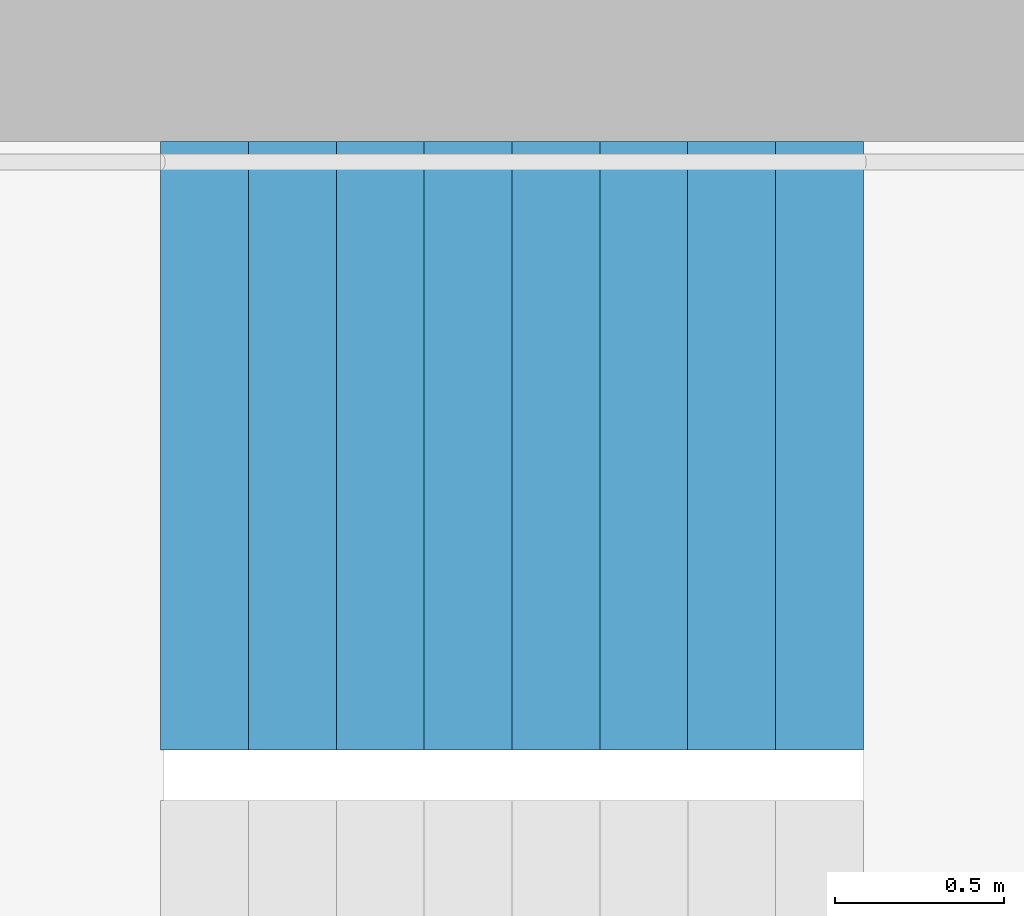
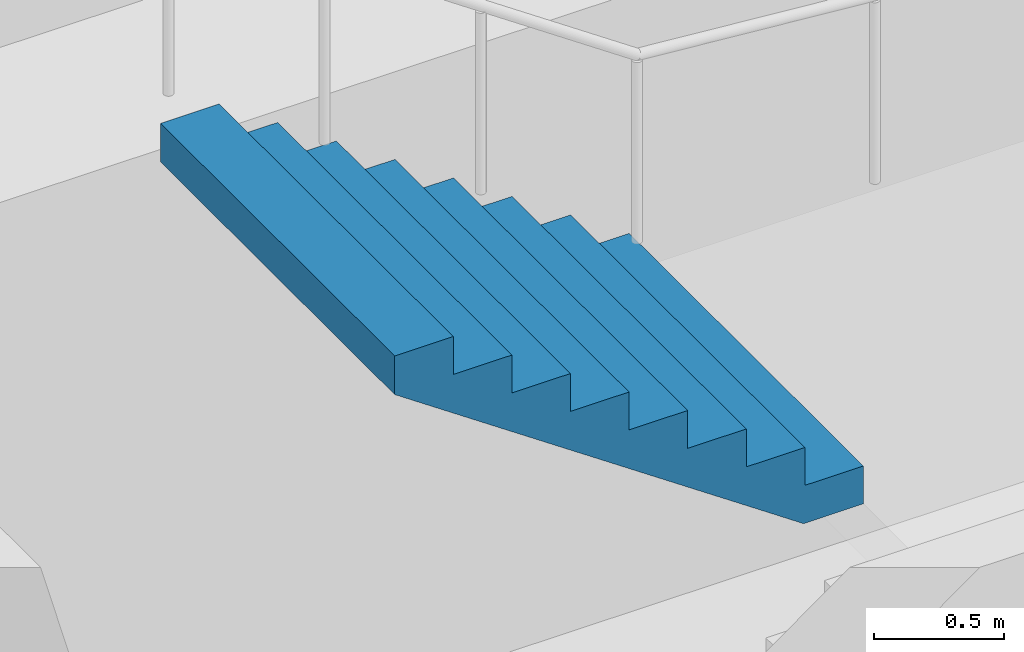
# One storey, part 24 of 29: 1 stair flight, 1 element without a shape of its own.
"""IFC4 building model written with IfcOpenShell, lengths in metres."""

from ifc_helpers import new_model, si_unit, direction, frame, origin, place, context, subcontext, project, spatial, triangles, material, type_object, element, aggregate, save


model = new_model("IFC4")

# Units and contexts
model_context = context("Model", 3, precision=1e-05, world=origin(), true_north=direction((0.0, 1.0)))
body_context = subcontext(model_context, "Body", "Model", "MODEL_VIEW")
ifc_project = project(units=[si_unit("LENGTHUNIT", "METRE"), si_unit("AREAUNIT", "SQUARE_METRE"), si_unit("VOLUMEUNIT", "CUBIC_METRE"), si_unit("PLANEANGLEUNIT", "RADIAN"), si_unit("MASSUNIT", "GRAM", prefix="KILO")], contexts=[model_context])

# Site, building, storey
site_placement = place(None, origin())
site = spatial("IfcSite", under=ifc_project, at=site_placement, CompositionType="ELEMENT")
building_placement = place(site_placement, origin())
building = spatial("IfcBuilding", under=site, at=building_placement, Name="Hakoniwa Tower and Hamabe Station Hall", CompositionType="ELEMENT")
storey_placement = place(building_placement, frame((0.0, 0.0, 61.39990234375)))
storey = spatial("IfcBuildingStorey", under=building, at=storey_placement, Name="L17", CompositionType="ELEMENT", Elevation=61.39990234375)

# Stair, stair flight
ifc_material_1 = material(Name="Concrete C40", Category="concrete")
stair_type = type_object("IfcStairType", Name="ESCAPE STAIR 1800", PredefinedType="HALF_TURN_STAIR", material=ifc_material_1)
stair_placement = place(storey_placement, origin())
stair = element("IfcStair", 1, at=stair_placement, inside=storey, type_object=stair_type, Name="Escape stair ST-1 L17", PredefinedType="HALF_TURN_STAIR")
ifc_material_2 = material(Name="Concrete C40", Category="concrete")
stair_flight_type = type_object("IfcStairFlightType", Name="STAIR FLIGHT 1800", PredefinedType="STRAIGHT", material=ifc_material_2)
stair_flight_placement = place(storey_placement, frame((-22.320068359375, 6.60009765625, 1.60009765625), z_axis=(0.0, 0.0, 1.0), x_axis=(-1.0, 0.0, 0.0)))
stair_flight = element("IfcStairFlight", 2, at=stair_flight_placement, type_object=stair_flight_type, Name="ST-1 flight 2", NumberOfRisers=9, NumberOfTreads=8, PredefinedType="STRAIGHT", RiserHeight=0.177777778, TreadLength=0.26, context=body_context, shape_type="Tessellation", body=[
    triangles([(0.0, 0.89990234375, 0.0), (0.260009765625, 0.89990234375, 0.0), (0.265625, 0.89990234375, 0.0), (0.52001953125, 0.89990234375, 0.174072265625), (0.780029296875, 0.89990234375, 0.351806640625), (1.0400390625, 0.89990234375, 0.529541015625), (1.300048828125, 0.89990234375, 0.707275390625), (1.56005859375, 0.89990234375, 0.885009765625), (1.820068359375, 0.89990234375, 1.062744140625), (2.080078125, 0.89990234375, 1.24072265625), (2.080078125, 0.89990234375, 1.422119140625), (1.820068359375, 0.89990234375, 1.422119140625), (1.820068359375, 0.89990234375, 1.244384765625), (1.56005859375, 0.89990234375, 1.244384765625), (1.56005859375, 0.89990234375, 1.066650390625), (1.300048828125, 0.89990234375, 1.066650390625), (1.300048828125, 0.89990234375, 0.888916015625), (1.0400390625, 0.89990234375, 0.888916015625), (1.0400390625, 0.89990234375, 0.711181640625), (0.780029296875, 0.89990234375, 0.711181640625), (0.780029296875, 0.89990234375, 0.533447265625), (0.52001953125, 0.89990234375, 0.533447265625), (0.52001953125, 0.89990234375, 0.35546875), (0.265625, 0.89990234375, 0.35546875), (0.260009765625, 0.89990234375, 0.35546875), (0.260009765625, 0.89990234375, 0.177734375), (0.0, 0.89990234375, 0.177734375), (0.0, 0.06005859375, 0.0), (0.260009765625, 0.06005859375, 0.0), (0.265625, 0.06005859375, 0.0), (0.52001953125, 0.06005859375, 0.174072265625), (0.780029296875, 0.06005859375, 0.351806640625), (1.0400390625, 0.06005859375, 0.529541015625), (1.300048828125, 0.06005859375, 0.707275390625), (1.56005859375, 0.06005859375, 0.885009765625), (1.820068359375, 0.06005859375, 1.062744140625), (2.080078125, 0.06005859375, 1.24072265625), (2.080078125, 0.06005859375, 1.422119140625), (1.820068359375, 0.06005859375, 1.422119140625), (1.820068359375, 0.06005859375, 1.244384765625), (1.56005859375, 0.06005859375, 1.244384765625), (1.56005859375, 0.06005859375, 1.066650390625), (1.300048828125, 0.06005859375, 1.066650390625), (1.300048828125, 0.06005859375, 0.888916015625), (1.0400390625, 0.06005859375, 0.888916015625), (1.0400390625, 0.06005859375, 0.711181640625), (0.780029296875, 0.06005859375, 0.711181640625), (0.780029296875, 0.06005859375, 0.533447265625), (0.52001953125, 0.06005859375, 0.533447265625), (0.52001953125, 0.06005859375, 0.35546875), (0.265625, 0.06005859375, 0.35546875), (0.260009765625, 0.06005859375, 0.35546875), (0.260009765625, 0.06005859375, 0.177734375), (0.0, 0.06005859375, 0.177734375), (0.0, 0.04296875, 0.0), (0.260009765625, 0.04296875, 0.0), (0.265625, 0.04296875, 0.0), (0.52001953125, 0.04296875, 0.174072265625), (0.780029296875, 0.04296875, 0.351806640625), (1.0400390625, 0.04296875, 0.529541015625), (1.300048828125, 0.04296875, 0.707275390625), (1.56005859375, 0.04296875, 0.885009765625), (1.820068359375, 0.04296875, 1.062744140625), (2.080078125, 0.04296875, 1.24072265625), (2.080078125, 0.04296875, 1.422119140625), (1.820068359375, 0.04296875, 1.422119140625), (1.820068359375, 0.04296875, 1.244384765625), (1.56005859375, 0.04296875, 1.244384765625), (1.56005859375, 0.04296875, 1.066650390625), (1.300048828125, 0.04296875, 1.066650390625), (1.300048828125, 0.04296875, 0.888916015625), (1.0400390625, 0.04296875, 0.888916015625), (1.0400390625, 0.04296875, 0.711181640625), (0.780029296875, 0.04296875, 0.711181640625), (0.780029296875, 0.04296875, 0.533447265625), (0.52001953125, 0.04296875, 0.533447265625), (0.52001953125, 0.04296875, 0.35546875), (0.265625, 0.04296875, 0.35546875), (0.260009765625, 0.04296875, 0.35546875), (0.260009765625, 0.04296875, 0.177734375), (0.0, 0.04296875, 0.177734375), (0.0, 0.025634765625, 0.0), (0.260009765625, 0.025634765625, 0.0), (0.265625, 0.025634765625, 0.0), (0.52001953125, 0.025634765625, 0.174072265625), (0.780029296875, 0.025634765625, 0.351806640625), (1.0400390625, 0.025634765625, 0.529541015625), (1.300048828125, 0.025634765625, 0.707275390625), (1.56005859375, 0.025634765625, 0.885009765625), (1.820068359375, 0.025634765625, 1.062744140625), (2.080078125, 0.025634765625, 1.24072265625), (2.080078125, 0.025634765625, 1.422119140625), (1.820068359375, 0.025634765625, 1.422119140625), (1.820068359375, 0.025634765625, 1.244384765625), (1.56005859375, 0.025634765625, 1.244384765625), (1.56005859375, 0.025634765625, 1.066650390625), (1.300048828125, 0.025634765625, 1.066650390625), (1.300048828125, 0.025634765625, 0.888916015625), (1.0400390625, 0.025634765625, 0.888916015625), (1.0400390625, 0.025634765625, 0.711181640625), (0.780029296875, 0.025634765625, 0.711181640625), (0.780029296875, 0.025634765625, 0.533447265625), (0.52001953125, 0.025634765625, 0.533447265625), (0.52001953125, 0.025634765625, 0.35546875), (0.265625, 0.025634765625, 0.35546875), (0.260009765625, 0.025634765625, 0.35546875), (0.260009765625, 0.025634765625, 0.177734375), (0.0, 0.025634765625, 0.177734375), (0.0, 0.008544921875, 0.0), (0.260009765625, 0.008544921875, 0.0), (0.265625, 0.008544921875, 0.0), (0.52001953125, 0.008544921875, 0.174072265625), (0.780029296875, 0.008544921875, 0.351806640625), (1.0400390625, 0.008544921875, 0.529541015625), (1.300048828125, 0.008544921875, 0.707275390625), (1.56005859375, 0.008544921875, 0.885009765625), (1.820068359375, 0.008544921875, 1.062744140625), (2.080078125, 0.008544921875, 1.24072265625), (2.080078125, 0.008544921875, 1.422119140625), (1.820068359375, 0.008544921875, 1.422119140625), (1.820068359375, 0.008544921875, 1.244384765625), (1.56005859375, 0.008544921875, 1.244384765625), (1.56005859375, 0.008544921875, 1.066650390625), (1.300048828125, 0.008544921875, 1.066650390625), (1.300048828125, 0.008544921875, 0.888916015625), (1.0400390625, 0.008544921875, 0.888916015625), (1.0400390625, 0.008544921875, 0.711181640625), (0.780029296875, 0.008544921875, 0.711181640625), (0.780029296875, 0.008544921875, 0.533447265625), (0.52001953125, 0.008544921875, 0.533447265625), (0.52001953125, 0.008544921875, 0.35546875), (0.265625, 0.008544921875, 0.35546875), (0.260009765625, 0.008544921875, 0.35546875), (0.260009765625, 0.008544921875, 0.177734375), (0.0, 0.008544921875, 0.177734375), (0.0, -0.008544921875, 0.0), (0.260009765625, -0.008544921875, 0.0), (0.265625, -0.008544921875, 0.0), (0.52001953125, -0.008544921875, 0.174072265625), (0.780029296875, -0.008544921875, 0.351806640625), (1.0400390625, -0.008544921875, 0.529541015625), (1.300048828125, -0.008544921875, 0.707275390625), (1.56005859375, -0.008544921875, 0.885009765625), (1.820068359375, -0.008544921875, 1.062744140625), (2.080078125, -0.008544921875, 1.24072265625), (2.080078125, -0.008544921875, 1.422119140625), (1.820068359375, -0.008544921875, 1.422119140625), (1.820068359375, -0.008544921875, 1.244384765625), (1.56005859375, -0.008544921875, 1.244384765625), (1.56005859375, -0.008544921875, 1.066650390625), (1.300048828125, -0.008544921875, 1.066650390625), (1.300048828125, -0.008544921875, 0.888916015625), (1.0400390625, -0.008544921875, 0.888916015625), (1.0400390625, -0.008544921875, 0.711181640625), (0.780029296875, -0.008544921875, 0.711181640625), (0.780029296875, -0.008544921875, 0.533447265625), (0.52001953125, -0.008544921875, 0.533447265625), (0.52001953125, -0.008544921875, 0.35546875), (0.265625, -0.008544921875, 0.35546875), (0.260009765625, -0.008544921875, 0.35546875), (0.260009765625, -0.008544921875, 0.177734375), (0.0, -0.008544921875, 0.177734375), (0.0, -0.025634765625, 0.0), (0.260009765625, -0.025634765625, 0.0), (0.265625, -0.025634765625, 0.0), (0.52001953125, -0.025634765625, 0.174072265625), (0.780029296875, -0.025634765625, 0.351806640625), (1.0400390625, -0.025634765625, 0.529541015625), (1.300048828125, -0.025634765625, 0.707275390625), (1.56005859375, -0.025634765625, 0.885009765625), (1.820068359375, -0.025634765625, 1.062744140625), (2.080078125, -0.025634765625, 1.24072265625), (2.080078125, -0.025634765625, 1.422119140625), (1.820068359375, -0.025634765625, 1.422119140625), (1.820068359375, -0.025634765625, 1.244384765625), (1.56005859375, -0.025634765625, 1.244384765625), (1.56005859375, -0.025634765625, 1.066650390625), (1.300048828125, -0.025634765625, 1.066650390625), (1.300048828125, -0.025634765625, 0.888916015625), (1.0400390625, -0.025634765625, 0.888916015625), (1.0400390625, -0.025634765625, 0.711181640625), (0.780029296875, -0.025634765625, 0.711181640625), (0.780029296875, -0.025634765625, 0.533447265625), (0.52001953125, -0.025634765625, 0.533447265625), (0.52001953125, -0.025634765625, 0.35546875), (0.265625, -0.025634765625, 0.35546875), (0.260009765625, -0.025634765625, 0.35546875), (0.260009765625, -0.025634765625, 0.177734375), (0.0, -0.025634765625, 0.177734375), (0.0, -0.04296875, 0.0), (0.260009765625, -0.04296875, 0.0), (0.265625, -0.04296875, 0.0), (0.52001953125, -0.04296875, 0.174072265625), (0.780029296875, -0.04296875, 0.351806640625), (1.0400390625, -0.04296875, 0.529541015625), (1.300048828125, -0.04296875, 0.707275390625), (1.56005859375, -0.04296875, 0.885009765625), (1.820068359375, -0.04296875, 1.062744140625), (2.080078125, -0.04296875, 1.24072265625), (2.080078125, -0.04296875, 1.422119140625), (1.820068359375, -0.04296875, 1.422119140625), (1.820068359375, -0.04296875, 1.244384765625), (1.56005859375, -0.04296875, 1.244384765625), (1.56005859375, -0.04296875, 1.066650390625), (1.300048828125, -0.04296875, 1.066650390625), (1.300048828125, -0.04296875, 0.888916015625), (1.0400390625, -0.04296875, 0.888916015625), (1.0400390625, -0.04296875, 0.711181640625), (0.780029296875, -0.04296875, 0.711181640625), (0.780029296875, -0.04296875, 0.533447265625), (0.52001953125, -0.04296875, 0.533447265625), (0.52001953125, -0.04296875, 0.35546875), (0.265625, -0.04296875, 0.35546875), (0.260009765625, -0.04296875, 0.35546875), (0.260009765625, -0.04296875, 0.177734375), (0.0, -0.04296875, 0.177734375), (0.0, -0.06005859375, 0.0), (0.260009765625, -0.06005859375, 0.0), (0.265625, -0.06005859375, 0.0), (0.52001953125, -0.06005859375, 0.174072265625), (0.780029296875, -0.06005859375, 0.351806640625), (1.0400390625, -0.06005859375, 0.529541015625), (1.300048828125, -0.06005859375, 0.707275390625), (1.56005859375, -0.06005859375, 0.885009765625), (1.820068359375, -0.06005859375, 1.062744140625), (2.080078125, -0.06005859375, 1.24072265625), (2.080078125, -0.06005859375, 1.422119140625), (1.820068359375, -0.06005859375, 1.422119140625), (1.820068359375, -0.06005859375, 1.244384765625), (1.56005859375, -0.06005859375, 1.244384765625), (1.56005859375, -0.06005859375, 1.066650390625), (1.300048828125, -0.06005859375, 1.066650390625), (1.300048828125, -0.06005859375, 0.888916015625), (1.0400390625, -0.06005859375, 0.888916015625), (1.0400390625, -0.06005859375, 0.711181640625), (0.780029296875, -0.06005859375, 0.711181640625), (0.780029296875, -0.06005859375, 0.533447265625), (0.52001953125, -0.06005859375, 0.533447265625), (0.52001953125, -0.06005859375, 0.35546875), (0.265625, -0.06005859375, 0.35546875), (0.260009765625, -0.06005859375, 0.35546875), (0.260009765625, -0.06005859375, 0.177734375), (0.0, -0.06005859375, 0.177734375), (0.0, -0.89990234375, 0.0), (0.260009765625, -0.89990234375, 0.0), (0.265625, -0.89990234375, 0.0), (0.52001953125, -0.89990234375, 0.174072265625), (0.780029296875, -0.89990234375, 0.351806640625), (1.0400390625, -0.89990234375, 0.529541015625), (1.300048828125, -0.89990234375, 0.707275390625), (1.56005859375, -0.89990234375, 0.885009765625), (1.820068359375, -0.89990234375, 1.062744140625), (2.080078125, -0.89990234375, 1.24072265625), (2.080078125, -0.89990234375, 1.422119140625), (1.820068359375, -0.89990234375, 1.422119140625), (1.820068359375, -0.89990234375, 1.244384765625), (1.56005859375, -0.89990234375, 1.244384765625), (1.56005859375, -0.89990234375, 1.066650390625), (1.300048828125, -0.89990234375, 1.066650390625), (1.300048828125, -0.89990234375, 0.888916015625), (1.0400390625, -0.89990234375, 0.888916015625), (1.0400390625, -0.89990234375, 0.711181640625), (0.780029296875, -0.89990234375, 0.711181640625), (0.780029296875, -0.89990234375, 0.533447265625), (0.52001953125, -0.89990234375, 0.533447265625), (0.52001953125, -0.89990234375, 0.35546875), (0.265625, -0.89990234375, 0.35546875), (0.260009765625, -0.89990234375, 0.35546875), (0.260009765625, -0.89990234375, 0.177734375), (0.0, -0.89990234375, 0.177734375)], [[2, 27, 26], [245, 269, 270], [2, 1, 27], [245, 270, 244], [3, 25, 24], [246, 267, 268], [3, 26, 25], [246, 268, 269], [3, 2, 26], [246, 269, 245], [4, 24, 23], [247, 266, 267], [4, 3, 24], [247, 267, 246], [5, 22, 21], [248, 264, 265], [5, 23, 22], [248, 265, 266], [5, 4, 23], [248, 266, 247], [6, 20, 19], [249, 262, 263], [6, 21, 20], [249, 263, 264], [6, 5, 21], [249, 264, 248], [7, 18, 17], [250, 260, 261], [7, 19, 18], [250, 261, 262], [7, 6, 19], [250, 262, 249], [8, 16, 15], [251, 258, 259], [8, 17, 16], [251, 259, 260], [8, 7, 17], [251, 260, 250], [9, 14, 13], [252, 256, 257], [9, 15, 14], [252, 257, 258], [9, 8, 15], [252, 258, 251], [10, 12, 11], [253, 254, 255], [10, 13, 12], [253, 255, 256], [10, 9, 13], [253, 256, 252], [1, 2, 29], [1, 29, 28], [28, 29, 56], [28, 56, 55], [55, 56, 83], [55, 83, 82], [82, 83, 110], [82, 110, 109], [109, 110, 137], [109, 137, 136], [136, 137, 164], [136, 164, 163], [163, 164, 191], [163, 191, 190], [190, 191, 218], [190, 218, 217], [217, 218, 245], [217, 245, 244], [2, 3, 30], [2, 30, 29], [29, 30, 57], [29, 57, 56], [56, 57, 84], [56, 84, 83], [83, 84, 111], [83, 111, 110], [110, 111, 138], [110, 138, 137], [137, 138, 165], [137, 165, 164], [164, 165, 192], [164, 192, 191], [191, 192, 219], [191, 219, 218], [218, 219, 246], [218, 246, 245], [3, 4, 31], [3, 31, 30], [30, 31, 58], [30, 58, 57], [57, 58, 85], [57, 85, 84], [84, 85, 112], [84, 112, 111], [111, 112, 139], [111, 139, 138], [138, 139, 166], [138, 166, 165], [165, 166, 193], [165, 193, 192], [192, 193, 220], [192, 220, 219], [219, 220, 247], [219, 247, 246], [4, 5, 32], [4, 32, 31], [31, 32, 59], [31, 59, 58], [58, 59, 86], [58, 86, 85], [85, 86, 113], [85, 113, 112], [112, 113, 140], [112, 140, 139], [139, 140, 167], [139, 167, 166], [166, 167, 194], [166, 194, 193], [193, 194, 221], [193, 221, 220], [220, 221, 248], [220, 248, 247], [5, 6, 33], [5, 33, 32], [32, 33, 60], [32, 60, 59], [59, 60, 87], [59, 87, 86], [86, 87, 114], [86, 114, 113], [113, 114, 141], [113, 141, 140], [140, 141, 168], [140, 168, 167], [167, 168, 195], [167, 195, 194], [194, 195, 222], [194, 222, 221], [221, 222, 249], [221, 249, 248], [6, 7, 34], [6, 34, 33], [33, 34, 61], [33, 61, 60], [60, 61, 88], [60, 88, 87], [87, 88, 115], [87, 115, 114], [114, 115, 142], [114, 142, 141], [141, 142, 169], [141, 169, 168], [168, 169, 196], [168, 196, 195], [195, 196, 223], [195, 223, 222], [222, 223, 250], [222, 250, 249], [7, 8, 35], [7, 35, 34], [34, 35, 62], [34, 62, 61], [61, 62, 89], [61, 89, 88], [88, 89, 116], [88, 116, 115], [115, 116, 143], [115, 143, 142], [142, 143, 170], [142, 170, 169], [169, 170, 197], [169, 197, 196], [196, 197, 224], [196, 224, 223], [223, 224, 251], [223, 251, 250], [8, 9, 36], [8, 36, 35], [35, 36, 63], [35, 63, 62], [62, 63, 90], [62, 90, 89], [89, 90, 117], [89, 117, 116], [116, 117, 144], [116, 144, 143], [143, 144, 171], [143, 171, 170], [170, 171, 198], [170, 198, 197], [197, 198, 225], [197, 225, 224], [224, 225, 252], [224, 252, 251], [9, 10, 37], [9, 37, 36], [36, 37, 64], [36, 64, 63], [63, 64, 91], [63, 91, 90], [90, 91, 118], [90, 118, 117], [117, 118, 145], [117, 145, 144], [144, 145, 172], [144, 172, 171], [171, 172, 199], [171, 199, 198], [198, 199, 226], [198, 226, 225], [225, 226, 253], [225, 253, 252], [10, 11, 38], [10, 38, 37], [37, 38, 65], [37, 65, 64], [64, 65, 92], [64, 92, 91], [91, 92, 119], [91, 119, 118], [118, 119, 146], [118, 146, 145], [145, 146, 173], [145, 173, 172], [172, 173, 200], [172, 200, 199], [199, 200, 227], [199, 227, 226], [226, 227, 254], [226, 254, 253], [11, 12, 39], [11, 39, 38], [38, 39, 66], [38, 66, 65], [65, 66, 93], [65, 93, 92], [92, 93, 120], [92, 120, 119], [119, 120, 147], [119, 147, 146], [146, 147, 174], [146, 174, 173], [173, 174, 201], [173, 201, 200], [200, 201, 228], [200, 228, 227], [227, 228, 255], [227, 255, 254], [12, 13, 40], [12, 40, 39], [39, 40, 67], [39, 67, 66], [66, 67, 94], [66, 94, 93], [93, 94, 121], [93, 121, 120], [120, 121, 148], [120, 148, 147], [147, 148, 175], [147, 175, 174], [174, 175, 202], [174, 202, 201], [201, 202, 229], [201, 229, 228], [228, 229, 256], [228, 256, 255], [13, 14, 41], [13, 41, 40], [40, 41, 68], [40, 68, 67], [67, 68, 95], [67, 95, 94], [94, 95, 122], [94, 122, 121], [121, 122, 149], [121, 149, 148], [148, 149, 176], [148, 176, 175], [175, 176, 203], [175, 203, 202], [202, 203, 230], [202, 230, 229], [229, 230, 257], [229, 257, 256], [14, 15, 42], [14, 42, 41], [41, 42, 69], [41, 69, 68], [68, 69, 96], [68, 96, 95], [95, 96, 123], [95, 123, 122], [122, 123, 150], [122, 150, 149], [149, 150, 177], [149, 177, 176], [176, 177, 204], [176, 204, 203], [203, 204, 231], [203, 231, 230], [230, 231, 258], [230, 258, 257], [15, 16, 43], [15, 43, 42], [42, 43, 70], [42, 70, 69], [69, 70, 97], [69, 97, 96], [96, 97, 124], [96, 124, 123], [123, 124, 151], [123, 151, 150], [150, 151, 178], [150, 178, 177], [177, 178, 205], [177, 205, 204], [204, 205, 232], [204, 232, 231], [231, 232, 259], [231, 259, 258], [16, 17, 44], [16, 44, 43], [43, 44, 71], [43, 71, 70], [70, 71, 98], [70, 98, 97], [97, 98, 125], [97, 125, 124], [124, 125, 152], [124, 152, 151], [151, 152, 179], [151, 179, 178], [178, 179, 206], [178, 206, 205], [205, 206, 233], [205, 233, 232], [232, 233, 260], [232, 260, 259], [17, 18, 45], [17, 45, 44], [44, 45, 72], [44, 72, 71], [71, 72, 99], [71, 99, 98], [98, 99, 126], [98, 126, 125], [125, 126, 153], [125, 153, 152], [152, 153, 180], [152, 180, 179], [179, 180, 207], [179, 207, 206], [206, 207, 234], [206, 234, 233], [233, 234, 261], [233, 261, 260], [18, 19, 46], [18, 46, 45], [45, 46, 73], [45, 73, 72], [72, 73, 100], [72, 100, 99], [99, 100, 127], [99, 127, 126], [126, 127, 154], [126, 154, 153], [153, 154, 181], [153, 181, 180], [180, 181, 208], [180, 208, 207], [207, 208, 235], [207, 235, 234], [234, 235, 262], [234, 262, 261], [19, 20, 47], [19, 47, 46], [46, 47, 74], [46, 74, 73], [73, 74, 101], [73, 101, 100], [100, 101, 128], [100, 128, 127], [127, 128, 155], [127, 155, 154], [154, 155, 182], [154, 182, 181], [181, 182, 209], [181, 209, 208], [208, 209, 236], [208, 236, 235], [235, 236, 263], [235, 263, 262], [20, 21, 48], [20, 48, 47], [47, 48, 75], [47, 75, 74], [74, 75, 102], [74, 102, 101], [101, 102, 129], [101, 129, 128], [128, 129, 156], [128, 156, 155], [155, 156, 183], [155, 183, 182], [182, 183, 210], [182, 210, 209], [209, 210, 237], [209, 237, 236], [236, 237, 264], [236, 264, 263], [21, 22, 49], [21, 49, 48], [48, 49, 76], [48, 76, 75], [75, 76, 103], [75, 103, 102], [102, 103, 130], [102, 130, 129], [129, 130, 157], [129, 157, 156], [156, 157, 184], [156, 184, 183], [183, 184, 211], [183, 211, 210], [210, 211, 238], [210, 238, 237], [237, 238, 265], [237, 265, 264], [22, 23, 50], [22, 50, 49], [49, 50, 77], [49, 77, 76], [76, 77, 104], [76, 104, 103], [103, 104, 131], [103, 131, 130], [130, 131, 158], [130, 158, 157], [157, 158, 185], [157, 185, 184], [184, 185, 212], [184, 212, 211], [211, 212, 239], [211, 239, 238], [238, 239, 266], [238, 266, 265], [23, 24, 51], [23, 51, 50], [50, 51, 78], [50, 78, 77], [77, 78, 105], [77, 105, 104], [104, 105, 132], [104, 132, 131], [131, 132, 159], [131, 159, 158], [158, 159, 186], [158, 186, 185], [185, 186, 213], [185, 213, 212], [212, 213, 240], [212, 240, 239], [239, 240, 267], [239, 267, 266], [24, 25, 52], [24, 52, 51], [51, 52, 79], [51, 79, 78], [78, 79, 106], [78, 106, 105], [105, 106, 133], [105, 133, 132], [132, 133, 160], [132, 160, 159], [159, 160, 187], [159, 187, 186], [186, 187, 214], [186, 214, 213], [213, 214, 241], [213, 241, 240], [240, 241, 268], [240, 268, 267], [25, 26, 53], [25, 53, 52], [52, 53, 80], [52, 80, 79], [79, 80, 107], [79, 107, 106], [106, 107, 134], [106, 134, 133], [133, 134, 161], [133, 161, 160], [160, 161, 188], [160, 188, 187], [187, 188, 215], [187, 215, 214], [214, 215, 242], [214, 242, 241], [241, 242, 269], [241, 269, 268], [26, 27, 54], [26, 54, 53], [53, 54, 81], [53, 81, 80], [80, 81, 108], [80, 108, 107], [107, 108, 135], [107, 135, 134], [134, 135, 162], [134, 162, 161], [161, 162, 189], [161, 189, 188], [188, 189, 216], [188, 216, 215], [215, 216, 243], [215, 243, 242], [242, 243, 270], [242, 270, 269], [27, 1, 28], [27, 28, 54], [54, 28, 55], [54, 55, 81], [81, 55, 82], [81, 82, 108], [108, 82, 109], [108, 109, 135], [135, 109, 136], [135, 136, 162], [162, 136, 163], [162, 163, 189], [189, 163, 190], [189, 190, 216], [216, 190, 217], [216, 217, 243], [243, 217, 244], [243, 244, 270]], closed=True),
])
aggregate(stair, [stair_flight])

save(model, "model.ifc")
